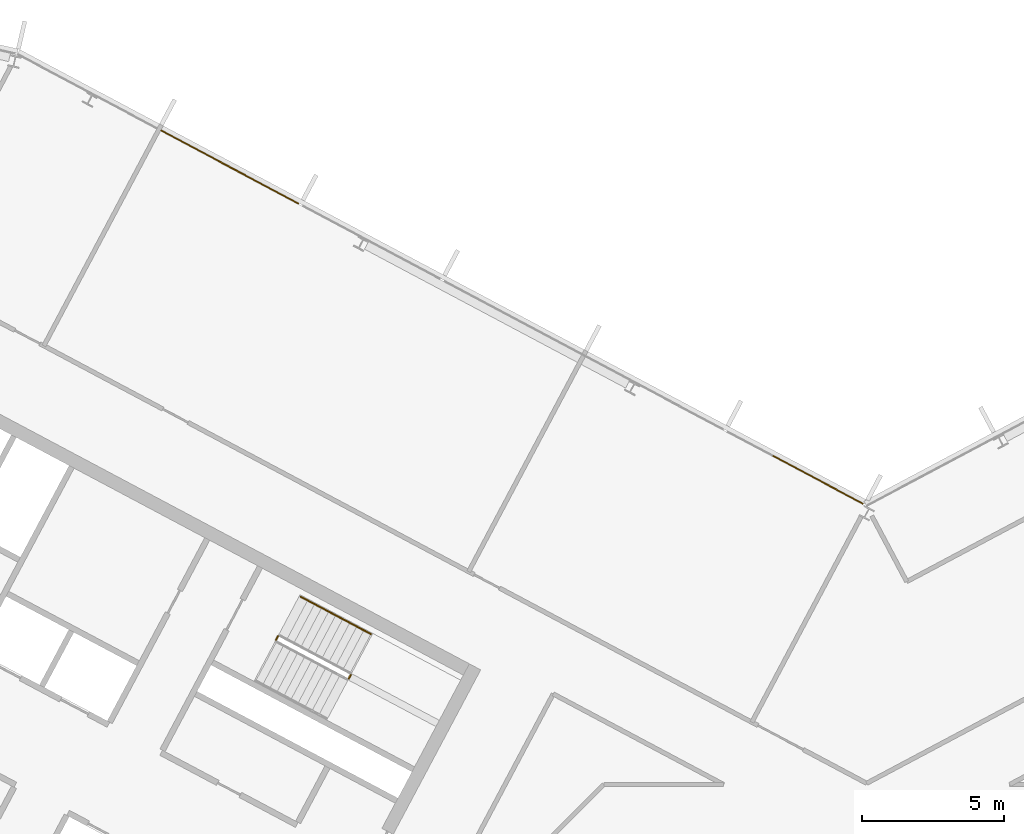
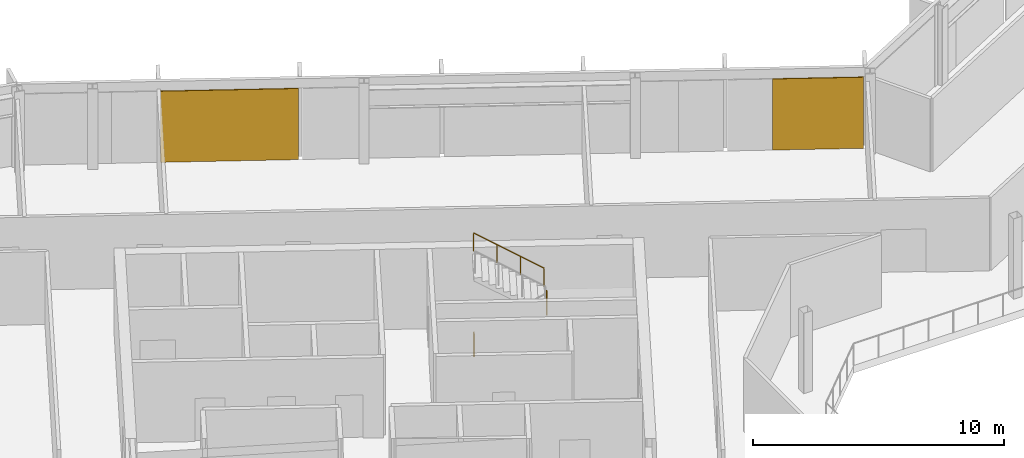
# One storey, part 23 of 26: 3 railings, 2 coverings, 1 element without a shape of its own.
"""IFC4 building model written with IfcOpenShell, lengths in metres."""

from ifc_helpers import new_model, si_unit, direction, frame, origin, origin_2d, place, context, subcontext, project, spatial, polyline, rectangle, outline, extrude, material, layer, layer_set, type_object, element, aggregate, save


model = new_model("IFC4")

# Units and contexts
model_context = context("Model", 3, precision=1e-05, world=origin(), true_north=direction((0.0, 1.0)))
body_context = subcontext(model_context, "Body", "Model", "MODEL_VIEW")
ifc_project = project(units=[si_unit("LENGTHUNIT", "METRE"), si_unit("AREAUNIT", "SQUARE_METRE"), si_unit("VOLUMEUNIT", "CUBIC_METRE"), si_unit("PLANEANGLEUNIT", "RADIAN"), si_unit("MASSUNIT", "GRAM", prefix="KILO")], contexts=[model_context])

# Site, building, storey
site_placement = place(None, origin())
site = spatial("IfcSite", under=ifc_project, at=site_placement, CompositionType="ELEMENT")
building_placement = place(site_placement, origin())
building = spatial("IfcBuilding", under=site, at=building_placement, Name="Cormorant Relay Tower", CompositionType="ELEMENT")
storey_placement = place(building_placement, frame((0.0, 0.0, 269.699951171875)))
storey = spatial("IfcBuildingStorey", under=building, at=storey_placement, Name="L60", CompositionType="ELEMENT", Elevation=269.699951171875)

# Curtain wall, coverings
ifc_material_1 = material(Name="Aluminium 6063-T6 anodised bronze", Category="aluminium")
ifc_layer_1 = layer(ifc_material_1, 0.199951171875)
ifc_layer_set_1 = layer_set([ifc_layer_1], Name="CW1 unitised bronze curtain wall with vertical fins")
curtain_wall_type = type_object("IfcCurtainWallType", Name="CW1 unitised bronze curtain wall with vertical fins", PredefinedType="NOTDEFINED", material=ifc_layer_set_1)
curtain_wall_placement = place(storey_placement, origin())
curtain_wall = element("IfcCurtainWall", 1, at=curtain_wall_placement, inside=storey, type_object=curtain_wall_type, Name="CW1 curtain wall 9", PredefinedType="NOTDEFINED")
ifc_material_2 = material(Name="Pale bronze anodised aluminium insulated panel", Category="aluminium")
ifc_layer_2 = layer(ifc_material_2, 0.0400390625)
ifc_layer_set_2 = layer_set([ifc_layer_2], Name="CW1 pale bronze insulated panel 40")
covering_type = type_object("IfcCoveringType", Name="CW1 pale bronze insulated panel 40", PredefinedType="CLADDING", material=ifc_layer_set_2)
covering_1_placement = place(storey_placement, frame((-1.718505859375, 24.720458984375, 0.0), z_axis=(0.0, 0.0, 1.0), x_axis=(-0.882947592859, 0.469471562786, 0.0)))
covering_1 = element("IfcCovering", 2, at=covering_1_placement, type_object=covering_type, Name="CW1 panel S00", PredefinedType="CLADDING", context=body_context, shape_type="SweptSolid", body=[
    extrude(rectangle(XDim=3.614013671875, YDim=0.0400390625, at=origin_2d()), origin(), (0.0, 0.0, 1.0), 3.449951171875),
])
covering_2_placement = place(storey_placement, frame((-22.39599609375, 35.714599609375, 0.0), z_axis=(0.0, 0.0, 1.0), x_axis=(-0.882947592859, 0.469471562786, 0.0)))
covering_2 = element("IfcCovering", 3, at=covering_2_placement, type_object=covering_type, Name="CW1 panel S05", PredefinedType="CLADDING", context=body_context, shape_type="SweptSolid", body=[
    extrude(rectangle(XDim=5.489013671875, YDim=0.0400390625, at=origin_2d()), origin(), (0.0, 0.0, 1.0), 3.449951171875),
])
aggregate(curtain_wall, [covering_1, covering_2])

# Railings
ifc_material_3 = material(Name="Steel ASTM A572 Grade 50 (Fy 345 MPa)", Category="steel")
railing_type_1 = type_object("IfcRailingType", Name="Stair guard 1100", PredefinedType="GUARDRAIL", material=ifc_material_3)
railing_1_placement = place(storey_placement, frame((-18.210693359375, 17.72412109375, 1.949951171875)))
element("IfcRailing", 4, at=railing_1_placement, inside=storey, type_object=railing_type_1, Name="L60 A1 stair guard 2", PredefinedType="GUARDRAIL", context=body_context, shape_type="SweptSolid", body=[
    extrude(outline(polyline([(0.022216796875, 0.00927734375), (0.00927734375, 0.022216796875), (-0.00927734375, 0.022216796875), (-0.022216796875, 0.00927734375), (-0.022216796875, -0.00927734375), (-0.00927734375, -0.022216796875), (0.00927734375, -0.022216796875), (0.022216796875, -0.00927734375), (0.022216796875, 0.00927734375)])), frame((0.0, 0.0, 1.076171875), z_axis=(0.470503732759, 0.882398003998, 0.0), x_axis=(-0.882398003998, 0.470503732759, 0.0)), (0.0, 0.0, 1.0), 0.14990234375),
    extrude(outline(polyline([(0.019287109375, 0.008056640625), (0.008056640625, 0.019287109375), (-0.008056640625, 0.019287109375), (-0.019287109375, 0.008056640625), (-0.019287109375, -0.008056640625), (-0.008056640625, -0.019287109375), (0.008056640625, -0.019287109375), (0.019287109375, -0.008056640625), (0.019287109375, 0.008056640625)])), origin(), (0.0, 0.0, 1.0), 1.052001953125),
    extrude(outline(polyline([(0.019287109375, 0.008056640625), (0.008056640625, 0.019287109375), (-0.008056640625, 0.019287109375), (-0.019287109375, 0.008056640625), (-0.019287109375, -0.008056640625), (-0.008056640625, -0.019287109375), (0.008056640625, -0.019287109375), (0.019287109375, -0.008056640625), (0.019287109375, 0.008056640625)])), frame((0.070556640625, 0.13232421875, 0.0)), (0.0, 0.0, 1.0), 1.052001953125),
])
railing_2_placement = place(storey_placement, frame((-20.771240234375, 19.08544921875, 0.0)))
element("IfcRailing", 5, at=railing_2_placement, inside=storey, type_object=railing_type_1, Name="L60 A1 stair guard 4", PredefinedType="GUARDRAIL", context=body_context, shape_type="SweptSolid", body=[
    extrude(outline(polyline([(0.022216796875, 0.00927734375), (0.00927734375, 0.022216796875), (-0.00927734375, 0.022216796875), (-0.022216796875, 0.00927734375), (-0.022216796875, -0.00927734375), (-0.00927734375, -0.022216796875), (0.00927734375, -0.022216796875), (0.022216796875, -0.00927734375), (0.022216796875, 0.00927734375)])), frame((0.0, 0.0, 1.076171875), z_axis=(0.469828648786, 0.882757634224, 0.0), x_axis=(-0.882757634224, 0.469828648786, 0.0)), (0.0, 0.0, 1.0), 0.150146484375),
    extrude(outline(polyline([(0.019287109375, 0.008056640625), (0.008056640625, 0.019287109375), (-0.008056640625, 0.019287109375), (-0.019287109375, 0.008056640625), (-0.019287109375, -0.008056640625), (-0.008056640625, -0.019287109375), (0.008056640625, -0.019287109375), (0.019287109375, -0.008056640625), (0.019287109375, 0.008056640625)])), origin(), (0.0, 0.0, 1.0), 1.052001953125),
    extrude(outline(polyline([(0.019287109375, 0.008056640625), (0.008056640625, 0.019287109375), (-0.008056640625, 0.019287109375), (-0.019287109375, 0.008056640625), (-0.019287109375, -0.008056640625), (-0.008056640625, -0.019287109375), (0.008056640625, -0.019287109375), (0.019287109375, -0.008056640625), (0.019287109375, 0.008056640625)])), frame((0.070556640625, 0.132568359375, 0.0)), (0.0, 0.0, 1.0), 1.052001953125),
])
ifc_material_4 = material(Name="Steel ASTM A572 Grade 50 (Fy 345 MPa)", Category="steel")
railing_type_2 = type_object("IfcRailingType", Name="Stair handrail 900", PredefinedType="HANDRAIL", material=ifc_material_4)
railing_3_placement = place(storey_placement, frame((-17.433349609375, 19.292724609375, 2.12744140625)))
element("IfcRailing", 6, at=railing_3_placement, inside=storey, type_object=railing_type_2, Name="L60 A1 stair handrail 2", PredefinedType="HANDRAIL", context=body_context, shape_type="SweptSolid", body=[
    extrude(outline(polyline([(0.022216796875, 0.00927734375), (0.00927734375, 0.022216796875), (-0.00927734375, 0.022216796875), (-0.022216796875, 0.00927734375), (-0.022216796875, -0.00927734375), (-0.00927734375, -0.022216796875), (0.00927734375, -0.022216796875), (0.022216796875, -0.00927734375), (0.022216796875, 0.00927734375)])), frame((0.0, 0.0, 0.8759765625), z_axis=(-0.746001213114, 0.396649272309, 0.534931345884), x_axis=(-0.469465464807, -0.882950835185, 0.0)), (0.0, 0.0, 1.0), 3.31396484375),
    extrude(outline(polyline([(0.019287109375, 0.008056640625), (0.008056640625, 0.019287109375), (-0.008056640625, 0.019287109375), (-0.019287109375, 0.008056640625), (-0.019287109375, -0.008056640625), (-0.008056640625, -0.019287109375), (0.008056640625, -0.019287109375), (0.019287109375, -0.008056640625), (0.019287109375, 0.008056640625)])), origin(), (0.0, 0.0, 1.0), 0.851806640625),
    extrude(outline(polyline([(0.019287109375, 0.008056640625), (0.008056640625, 0.019287109375), (-0.008056640625, 0.019287109375), (-0.019287109375, 0.008056640625), (-0.019287109375, -0.008056640625), (-0.008056640625, -0.019287109375), (0.008056640625, -0.019287109375), (0.019287109375, -0.008056640625), (0.019287109375, 0.008056640625)])), frame((-0.823974609375, 0.438232421875, 0.5908203125)), (0.0, 0.0, 1.0), 0.851806640625),
    extrude(outline(polyline([(0.019287109375, 0.008056640625), (0.008056640625, 0.019287109375), (-0.008056640625, 0.019287109375), (-0.019287109375, 0.008056640625), (-0.019287109375, -0.008056640625), (-0.008056640625, -0.019287109375), (0.008056640625, -0.019287109375), (0.019287109375, -0.008056640625), (0.019287109375, 0.008056640625)])), frame((-1.648193359375, 0.876220703125, 1.181884765625)), (0.0, 0.0, 1.0), 0.851806640625),
    extrude(outline(polyline([(0.019287109375, 0.008056640625), (0.008056640625, 0.019287109375), (-0.008056640625, 0.019287109375), (-0.019287109375, 0.008056640625), (-0.019287109375, -0.008056640625), (-0.008056640625, -0.019287109375), (0.008056640625, -0.019287109375), (0.019287109375, -0.008056640625), (0.019287109375, 0.008056640625)])), frame((-2.47216796875, 1.314453125, 1.772705078125)), (0.0, 0.0, 1.0), 0.851806640625),
])

save(model, "model.ifc")
